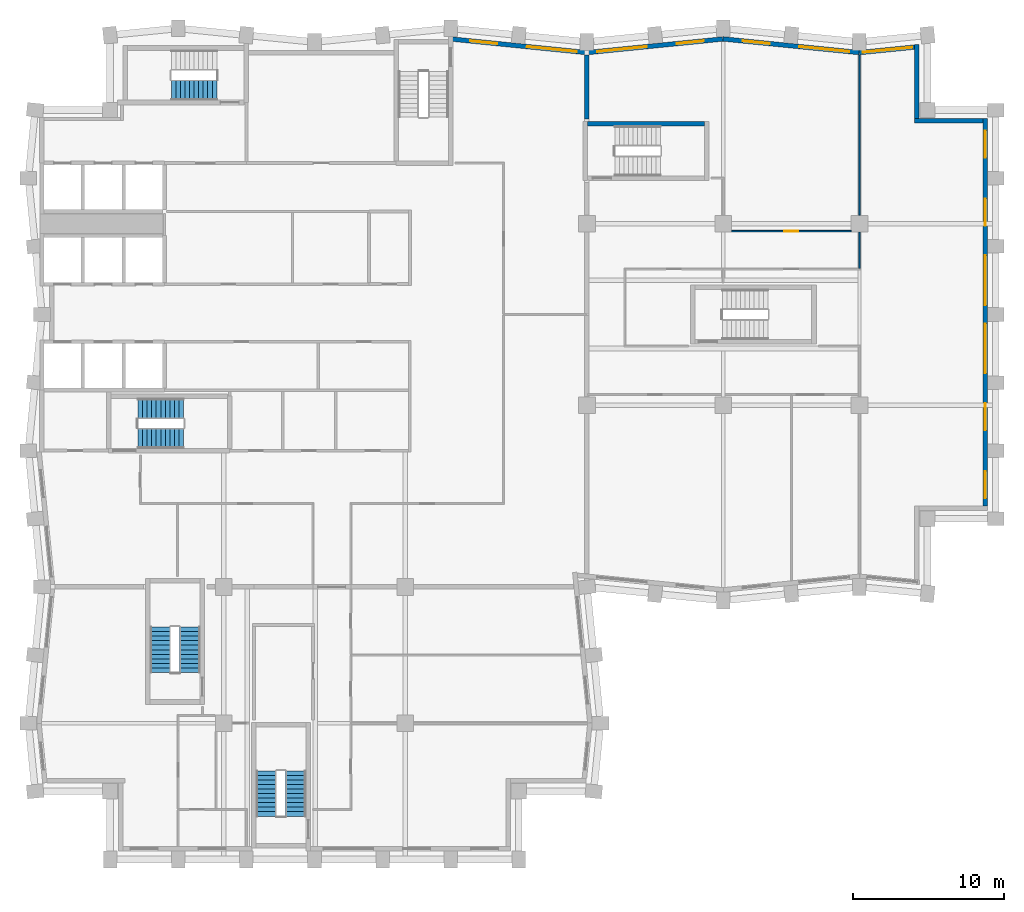
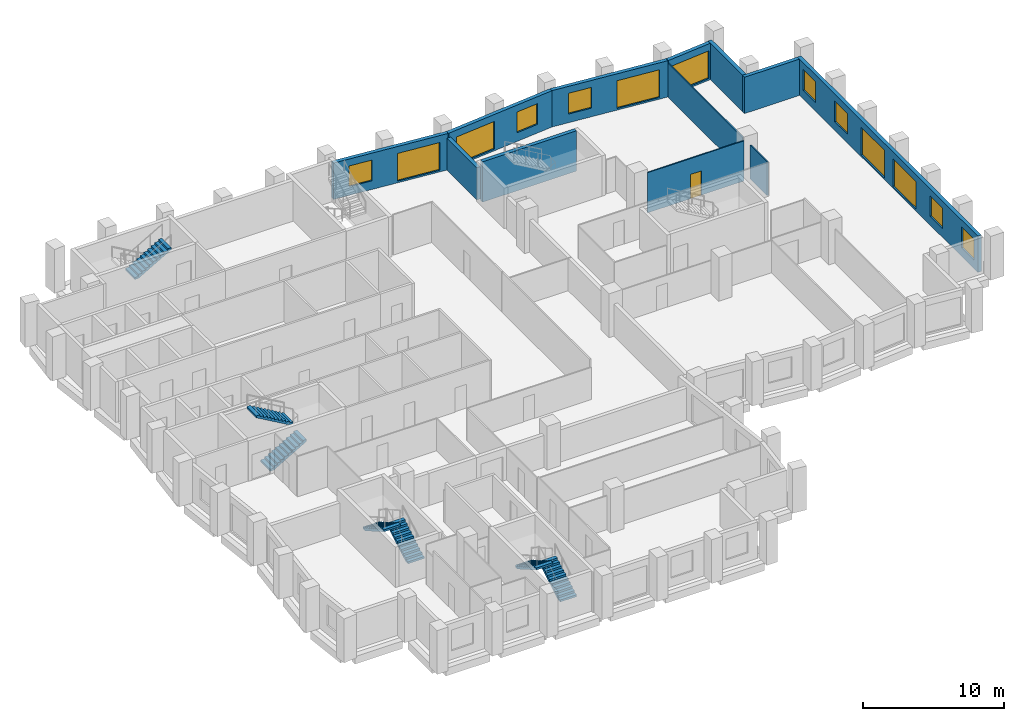
# One storey, part 7 of 10: 13 windows, 12 walls, 7 stair flights, 1 door, 14 openings, 4 elements without a shape of their own.
"""IFC4 building model written with IfcOpenShell, lengths in metres."""

from ifc_helpers import new_model, si_unit, direction, frame, frame_2d, origin, place, context, subcontext, project, spatial, polyline, rectangle, outline, extrude, material, layer, layer_set, type_object, element, fill, aggregate, save


model = new_model("IFC4")

# Units and contexts
model_context = context("Model", 3, precision=1e-05, world=origin(), true_north=direction((0.0, 1.0)))
body_context = subcontext(model_context, "Body", "Model", "MODEL_VIEW")
ifc_project = project(units=[si_unit("LENGTHUNIT", "METRE"), si_unit("AREAUNIT", "SQUARE_METRE"), si_unit("VOLUMEUNIT", "CUBIC_METRE"), si_unit("PLANEANGLEUNIT", "RADIAN"), si_unit("MASSUNIT", "GRAM", prefix="KILO")], contexts=[model_context])

# Site, building, storey
site_placement = place(None, origin())
site = spatial("IfcSite", under=ifc_project, at=site_placement, CompositionType="ELEMENT")
building_placement = place(site_placement, origin())
building = spatial("IfcBuilding", under=site, at=building_placement, Name="Brondeck Convention Tower", CompositionType="ELEMENT")
storey_placement = place(building_placement, frame((0.0, 0.0, 154.800048828125)))
storey = spatial("IfcBuildingStorey", under=building, at=storey_placement, Name="L37", CompositionType="ELEMENT", Elevation=154.800048828125)

# Wall
ifc_material_1 = material(Name="Concrete compartment wall C30/37", Category="concrete")
ifc_layer_1 = layer(ifc_material_1, 0.300048828125)
ifc_layer_set_1 = layer_set([ifc_layer_1], Name="Compartment wall 300")
wall_type_1 = type_object("IfcWallType", Name="Compartment wall 300", PredefinedType="PARTITIONING", material=ifc_layer_set_1)
wall_1_placement = place(storey_placement, frame((36.0, 57.89990234375, 0.0), z_axis=(0.0, 0.0, 1.0), x_axis=(0.0, 1.0, 0.0)))
element("IfcWall", 1, at=wall_1_placement, inside=storey, type_object=wall_type_1, Name="FLR-L37-W060", PredefinedType="PARTITIONING", context=body_context, shape_type="SweptSolid", body=[
    extrude(rectangle(XDim=4.22607421875, YDim=0.300048828125, at=frame_2d((2.113037109375, 0.0))), origin(), (0.0, 0.0, 1.0), 2.780029296875),
])

# Wall, openings, windows
ifc_material_2 = material(Name="Precast concrete C50/60 bronze finish", Category="concrete")
ifc_layer_2 = layer(ifc_material_2, 0.070068359375, Name="Bronze precast facing")
ifc_material_3 = material(Name="Mineral wool")
ifc_layer_3 = layer(ifc_material_3, 0.159912109375, Name="Insulation")
ifc_material_4 = material(Name="Concrete C35/45", Category="concrete")
ifc_layer_4 = layer(ifc_material_4, 0.070068359375, Name="Backing")
ifc_layer_set_2 = layer_set([ifc_layer_2, ifc_layer_3, ifc_layer_4], Name="External infill wall, precast concrete C50/60 bronze facing")
wall_type_2 = type_object("IfcWallType", Name="External infill wall, precast concrete C50/60 bronze facing", PredefinedType="SOLIDWALL", material=ifc_layer_set_2)
wall_2_placement = place(storey_placement, frame((62.300048828125, 57.949951171875, 0.0), z_axis=(0.0, 0.0, 1.0), x_axis=(0.0, -1.0, 0.0)))
wall_2 = element("IfcWall", 2, at=wall_2_placement, inside=storey, type_object=wall_type_2, Name="ENV-EW-L37-P1-A-E63-01", PredefinedType="SOLIDWALL", context=body_context, shape_type="SweptSolid", body=[
    extrude(rectangle(XDim=25.60205078125, YDim=0.300048828125, at=frame_2d((12.801025390625, 0.0))), origin(), (0.0, 0.0, 1.0), 3.14990234375),
])
opening_1_placement = place(wall_2_placement, frame((0.800048828125, 0.0, 0.75)))
opening_1 = element("IfcOpeningElement", 3, at=opening_1_placement, cuts=wall_2, Name="Opening W10", PredefinedType="OPENING", context=body_context, shape_type="SweptSolid", body=[
    extrude(rectangle(XDim=1.800048828125, YDim=1.800048828125, at=frame_2d((0.89990234375, 0.89990234375))), frame((0.0, 0.159912109375, 0.0), z_axis=(0.0, -1.0, 0.0), x_axis=(1.0, 0.0, 0.0)), (0.0, 0.0, 1.0), 0.320068359375),
])
opening_2_placement = place(wall_2_placement, frame((5.300048828125, 0.0, 0.75)))
opening_2 = element("IfcOpeningElement", 4, at=opening_2_placement, cuts=wall_2, Name="Opening W10", PredefinedType="OPENING", context=body_context, shape_type="SweptSolid", body=[
    extrude(rectangle(XDim=1.800048828125, YDim=1.800048828125, at=frame_2d((0.89990234375, 0.89990234375))), frame((0.0, 0.159912109375, 0.0), z_axis=(0.0, -1.0, 0.0), x_axis=(1.0, 0.0, 0.0)), (0.0, 0.0, 1.0), 0.320068359375),
])
opening_3_placement = place(wall_2_placement, frame((9.050048828125, 0.0, 0.14990234375)))
opening_3 = element("IfcOpeningElement", 5, at=opening_3_placement, cuts=wall_2, Name="Opening W9", PredefinedType="OPENING", context=body_context, shape_type="SweptSolid", body=[
    extrude(rectangle(XDim=3.300048828125, YDim=2.39990234375, at=frame_2d((1.64990234375, 1.199951171875))), frame((0.0, 0.159912109375, 0.0), z_axis=(0.0, -1.0, 0.0), x_axis=(1.0, 0.0, 0.0)), (0.0, 0.0, 1.0), 0.320068359375),
])
opening_4_placement = place(wall_2_placement, frame((13.550048828125, 0.0, 0.14990234375)))
opening_4 = element("IfcOpeningElement", 6, at=opening_4_placement, cuts=wall_2, Name="Opening W9", PredefinedType="OPENING", context=body_context, shape_type="SweptSolid", body=[
    extrude(rectangle(XDim=3.300048828125, YDim=2.39990234375, at=frame_2d((1.64990234375, 1.199951171875))), frame((0.0, 0.159912109375, 0.0), z_axis=(0.0, -1.0, 0.0), x_axis=(1.0, 0.0, 0.0)), (0.0, 0.0, 1.0), 0.320068359375),
])
opening_5_placement = place(wall_2_placement, frame((18.800048828125, 0.0, 0.75)))
opening_5 = element("IfcOpeningElement", 7, at=opening_5_placement, cuts=wall_2, Name="Opening W10", PredefinedType="OPENING", context=body_context, shape_type="SweptSolid", body=[
    extrude(rectangle(XDim=1.800048828125, YDim=1.800048828125, at=frame_2d((0.89990234375, 0.89990234375))), frame((0.0, 0.159912109375, 0.0), z_axis=(0.0, -1.0, 0.0), x_axis=(1.0, 0.0, 0.0)), (0.0, 0.0, 1.0), 0.320068359375),
])
opening_6_placement = place(wall_2_placement, frame((23.300048828125, 0.0, 0.75)))
opening_6 = element("IfcOpeningElement", 8, at=opening_6_placement, cuts=wall_2, Name="Opening W10", PredefinedType="OPENING", context=body_context, shape_type="SweptSolid", body=[
    extrude(rectangle(XDim=1.800048828125, YDim=1.800048828125, at=frame_2d((0.89990234375, 0.89990234375))), frame((0.0, 0.159912109375, 0.0), z_axis=(0.0, -1.0, 0.0), x_axis=(1.0, 0.0, 0.0)), (0.0, 0.0, 1.0), 0.320068359375),
])
ifc_material_5 = material(Name="Bronze tinted double glazing", Category="glass")
window_type_1 = type_object("IfcWindowType", Name="Glazed flute window, bronze tinted", PartitioningType="SINGLE_PANEL", PredefinedType="WINDOW", material=ifc_material_5)
window_1_placement = place(opening_3_placement, origin())
window_1 = element("IfcWindow", 9, at=window_1_placement, inside=storey, type_object=window_type_1, Name="ENV-WN-L37-P1-A-E63-04", OverallHeight=2.39990234375, OverallWidth=3.300048828125, PartitioningType="SINGLE_PANEL", PredefinedType="WINDOW", context=body_context, shape_type="SweptSolid", body=[
    extrude(rectangle(XDim=3.300048828125, YDim=2.39990234375, at=frame_2d((1.64990234375, 1.199951171875))), frame((0.0, 0.030029296875, 0.0), z_axis=(0.0, -1.0, 0.0), x_axis=(1.0, 0.0, 0.0)), (0.0, 0.0, 1.0), 0.06005859375),
])
fill(opening_3, window_1)
window_2_placement = place(opening_4_placement, origin())
window_2 = element("IfcWindow", 10, at=window_2_placement, inside=storey, type_object=window_type_1, Name="ENV-WN-L37-P1-A-E63-03", OverallHeight=2.39990234375, OverallWidth=3.300048828125, PartitioningType="SINGLE_PANEL", PredefinedType="WINDOW", context=body_context, shape_type="SweptSolid", body=[
    extrude(rectangle(XDim=3.300048828125, YDim=2.39990234375, at=frame_2d((1.64990234375, 1.199951171875))), frame((0.0, 0.030029296875, 0.0), z_axis=(0.0, -1.0, 0.0), x_axis=(1.0, 0.0, 0.0)), (0.0, 0.0, 1.0), 0.06005859375),
])
fill(opening_4, window_2)
window_type_2 = type_object("IfcWindowType", Name="Punched window, bronze tinted", PartitioningType="SINGLE_PANEL", PredefinedType="WINDOW", material=ifc_material_5)
window_3_placement = place(opening_1_placement, origin())
window_3 = element("IfcWindow", 11, at=window_3_placement, inside=storey, type_object=window_type_2, Name="ENV-WN-L37-P1-A-E63-06", OverallHeight=1.800048828125, OverallWidth=1.800048828125, PartitioningType="SINGLE_PANEL", PredefinedType="WINDOW", context=body_context, shape_type="SweptSolid", body=[
    extrude(rectangle(XDim=1.800048828125, YDim=1.800048828125, at=frame_2d((0.89990234375, 0.89990234375))), frame((0.0, 0.030029296875, 0.0), z_axis=(0.0, -1.0, 0.0), x_axis=(1.0, 0.0, 0.0)), (0.0, 0.0, 1.0), 0.06005859375),
])
fill(opening_1, window_3)
window_4_placement = place(opening_2_placement, origin())
window_4 = element("IfcWindow", 12, at=window_4_placement, inside=storey, type_object=window_type_2, Name="ENV-WN-L37-P1-A-E63-05", OverallHeight=1.800048828125, OverallWidth=1.800048828125, PartitioningType="SINGLE_PANEL", PredefinedType="WINDOW", context=body_context, shape_type="SweptSolid", body=[
    extrude(rectangle(XDim=1.800048828125, YDim=1.800048828125, at=frame_2d((0.89990234375, 0.89990234375))), frame((0.0, 0.030029296875, 0.0), z_axis=(0.0, -1.0, 0.0), x_axis=(1.0, 0.0, 0.0)), (0.0, 0.0, 1.0), 0.06005859375),
])
fill(opening_2, window_4)
window_5_placement = place(opening_5_placement, origin())
window_5 = element("IfcWindow", 13, at=window_5_placement, inside=storey, type_object=window_type_2, Name="ENV-WN-L37-P1-A-E63-02", OverallHeight=1.800048828125, OverallWidth=1.800048828125, PartitioningType="SINGLE_PANEL", PredefinedType="WINDOW", context=body_context, shape_type="SweptSolid", body=[
    extrude(rectangle(XDim=1.800048828125, YDim=1.800048828125, at=frame_2d((0.89990234375, 0.89990234375))), frame((0.0, 0.030029296875, 0.0), z_axis=(0.0, -1.0, 0.0), x_axis=(1.0, 0.0, 0.0)), (0.0, 0.0, 1.0), 0.06005859375),
])
fill(opening_5, window_5)
window_6_placement = place(opening_6_placement, origin())
window_6 = element("IfcWindow", 14, at=window_6_placement, inside=storey, type_object=window_type_2, Name="ENV-WN-L37-P1-A-E63-01", OverallHeight=1.800048828125, OverallWidth=1.800048828125, PartitioningType="SINGLE_PANEL", PredefinedType="WINDOW", context=body_context, shape_type="SweptSolid", body=[
    extrude(rectangle(XDim=1.800048828125, YDim=1.800048828125, at=frame_2d((0.89990234375, 0.89990234375))), frame((0.0, 0.030029296875, 0.0), z_axis=(0.0, -1.0, 0.0), x_axis=(1.0, 0.0, 0.0)), (0.0, 0.0, 1.0), 0.06005859375),
])
fill(opening_6, window_6)

# Walls
wall_3_placement = place(storey_placement, frame((57.64990234375, 57.800048828125, 0.0), z_axis=(0.0, 0.0, 1.0), x_axis=(1.0, 0.0, 0.0)))
element("IfcWall", 15, at=wall_3_placement, inside=storey, type_object=wall_type_2, Name="ENV-EW-L37-P1-NC-NEA63-01", PredefinedType="SOLIDWALL", context=body_context, shape_type="SweptSolid", body=[
    extrude(rectangle(XDim=4.502197265625, YDim=0.300048828125, at=frame_2d((2.2509765625, 0.0))), origin(), (0.0, 0.0, 1.0), 3.14990234375),
])
wall_4_placement = place(storey_placement, frame((57.800048828125, 62.84228515625, 0.0), z_axis=(0.0, 0.0, 1.0), x_axis=(0.0, -1.0, 0.0)))
element("IfcWall", 16, at=wall_4_placement, inside=storey, type_object=wall_type_2, Name="ENV-EW-L37-P1-NC-NEA63-02", PredefinedType="SOLIDWALL", context=body_context, shape_type="SweptSolid", body=[
    extrude(rectangle(XDim=4.894287109375, YDim=0.300048828125, at=frame_2d((2.447265625, 0.0))), origin(), (0.0, 0.0, 1.0), 3.14990234375),
])

# Wall, opening, window
wall_5_placement = place(storey_placement, frame((53.985107421875, 62.294921875, 0.0), z_axis=(0.0, 0.0, 1.0), x_axis=(0.99503719021, 0.099503719021, 0.0)))
wall_5 = element("IfcWall", 17, at=wall_5_placement, inside=storey, type_object=wall_type_2, Name="ENV-EW-L37-P1-A-N-12", PredefinedType="SOLIDWALL", context=body_context, shape_type="SweptSolid", body=[
    extrude(rectangle(XDim=3.677978515625, YDim=0.300048828125, at=frame_2d((1.8388671875, 0.0))), origin(), (0.0, 0.0, 1.0), 3.14990234375),
])
opening_7_placement = place(wall_5_placement, frame((0.22802734375, 0.0, 0.14990234375)))
opening_7 = element("IfcOpeningElement", 18, at=opening_7_placement, cuts=wall_5, Name="Opening W9", PredefinedType="OPENING", context=body_context, shape_type="SweptSolid", body=[
    extrude(rectangle(XDim=3.300048828125, YDim=2.39990234375, at=frame_2d((1.64990234375, 1.199951171875))), frame((0.0, 0.159912109375, 0.0), z_axis=(0.0, -1.0, 0.0), x_axis=(1.0, 0.0, 0.0)), (0.0, 0.0, 1.0), 0.320068359375),
])
window_7_placement = place(opening_7_placement, origin())
window_7 = element("IfcWindow", 19, at=window_7_placement, inside=storey, type_object=window_type_1, Name="ENV-WN-L37-P1-A-N-12", OverallHeight=2.39990234375, OverallWidth=3.300048828125, PartitioningType="SINGLE_PANEL", PredefinedType="WINDOW", context=body_context, shape_type="SweptSolid", body=[
    extrude(rectangle(XDim=3.300048828125, YDim=2.39990234375, at=frame_2d((1.64990234375, 1.199951171875))), frame((0.0, 0.030029296875, 0.0), z_axis=(0.0, -1.0, 0.0), x_axis=(1.0, 0.0, 0.0)), (0.0, 0.0, 1.0), 0.06005859375),
])
fill(opening_7, window_7)

# Wall, openings, windows
wall_6_placement = place(storey_placement, frame((44.985107421875, 63.197998046875, 0.0), z_axis=(0.0, 0.0, 1.0), x_axis=(0.995037993253, -0.099495688264, 0.0)))
wall_6 = element("IfcWall", 20, at=wall_6_placement, inside=storey, type_object=wall_type_2, Name="ENV-EW-L37-P1-A-N-11", PredefinedType="SOLIDWALL", context=body_context, shape_type="SweptSolid", body=[
    extrude(rectangle(XDim=9.030029296875, YDim=0.300048828125, at=frame_2d((4.51513671875, 0.0))), origin(), (0.0, 0.0, 1.0), 3.14990234375),
])
opening_8_placement = place(wall_6_placement, frame((1.30615234375, 0.0, 0.75)))
opening_8 = element("IfcOpeningElement", 21, at=opening_8_placement, cuts=wall_6, Name="Opening W10", PredefinedType="OPENING", context=body_context, shape_type="SweptSolid", body=[
    extrude(rectangle(XDim=1.800048828125, YDim=1.800048828125, at=frame_2d((0.89990234375, 0.89990234375))), frame((0.0, 0.159912109375, 0.0), z_axis=(0.0, -1.0, 0.0), x_axis=(1.0, 0.0, 0.0)), (0.0, 0.0, 1.0), 0.320068359375),
])
opening_9_placement = place(wall_6_placement, frame((5.07861328125, 0.0, 0.14990234375)))
opening_9 = element("IfcOpeningElement", 22, at=opening_9_placement, cuts=wall_6, Name="Opening W9", PredefinedType="OPENING", context=body_context, shape_type="SweptSolid", body=[
    extrude(rectangle(XDim=3.300048828125, YDim=2.39990234375, at=frame_2d((1.64990234375, 1.199951171875))), frame((0.0, 0.159912109375, 0.0), z_axis=(0.0, -1.0, 0.0), x_axis=(1.0, 0.0, 0.0)), (0.0, 0.0, 1.0), 0.320068359375),
])
window_8_placement = place(opening_9_placement, origin())
window_8 = element("IfcWindow", 23, at=window_8_placement, inside=storey, type_object=window_type_1, Name="ENV-WN-L37-P1-A-N-11", OverallHeight=2.39990234375, OverallWidth=3.300048828125, PartitioningType="SINGLE_PANEL", PredefinedType="WINDOW", context=body_context, shape_type="SweptSolid", body=[
    extrude(rectangle(XDim=3.300048828125, YDim=2.39990234375, at=frame_2d((1.64990234375, 1.199951171875))), frame((0.0, 0.030029296875, 0.0), z_axis=(0.0, -1.0, 0.0), x_axis=(1.0, 0.0, 0.0)), (0.0, 0.0, 1.0), 0.06005859375),
])
fill(opening_9, window_8)
window_9_placement = place(opening_8_placement, origin())
window_9 = element("IfcWindow", 24, at=window_9_placement, inside=storey, type_object=window_type_2, Name="ENV-WN-L37-P1-A-N-10", OverallHeight=1.800048828125, OverallWidth=1.800048828125, PartitioningType="SINGLE_PANEL", PredefinedType="WINDOW", context=body_context, shape_type="SweptSolid", body=[
    extrude(rectangle(XDim=1.800048828125, YDim=1.800048828125, at=frame_2d((0.89990234375, 0.89990234375))), frame((0.0, 0.030029296875, 0.0), z_axis=(0.0, -1.0, 0.0), x_axis=(1.0, 0.0, 0.0)), (0.0, 0.0, 1.0), 0.06005859375),
])
fill(opening_8, window_9)

wall_7_placement = place(storey_placement, frame((35.985107421875, 62.294921875, 0.0), z_axis=(0.0, 0.0, 1.0), x_axis=(0.995035316196, 0.099522457379, 0.0)))
wall_7 = element("IfcWall", 25, at=wall_7_placement, inside=storey, type_object=wall_type_2, Name="ENV-EW-L37-P1-A-N-09", PredefinedType="SOLIDWALL", context=body_context, shape_type="SweptSolid", body=[
    extrude(rectangle(XDim=9.030029296875, YDim=0.300048828125, at=frame_2d((4.51513671875, 0.0))), origin(), (0.0, 0.0, 1.0), 3.14990234375),
])
opening_10_placement = place(wall_7_placement, frame((0.6962890625, 0.0, 0.14990234375)))
opening_10 = element("IfcOpeningElement", 26, at=opening_10_placement, cuts=wall_7, Name="Opening W9", PredefinedType="OPENING", context=body_context, shape_type="SweptSolid", body=[
    extrude(rectangle(XDim=3.300048828125, YDim=2.39990234375, at=frame_2d((1.64990234375, 1.199951171875))), frame((0.0, 0.159912109375, 0.0), z_axis=(0.0, -1.0, 0.0), x_axis=(1.0, 0.0, 0.0)), (0.0, 0.0, 1.0), 0.320068359375),
])
opening_11_placement = place(wall_7_placement, frame((5.968505859375, 0.0, 0.75)))
opening_11 = element("IfcOpeningElement", 27, at=opening_11_placement, cuts=wall_7, Name="Opening W10", PredefinedType="OPENING", context=body_context, shape_type="SweptSolid", body=[
    extrude(rectangle(XDim=1.800048828125, YDim=1.800048828125, at=frame_2d((0.89990234375, 0.89990234375))), frame((0.0, 0.159912109375, 0.0), z_axis=(0.0, -1.0, 0.0), x_axis=(1.0, 0.0, 0.0)), (0.0, 0.0, 1.0), 0.320068359375),
])
window_10_placement = place(opening_10_placement, origin())
window_10 = element("IfcWindow", 28, at=window_10_placement, inside=storey, type_object=window_type_1, Name="ENV-WN-L37-P1-A-N-08", OverallHeight=2.39990234375, OverallWidth=3.300048828125, PartitioningType="SINGLE_PANEL", PredefinedType="WINDOW", context=body_context, shape_type="SweptSolid", body=[
    extrude(rectangle(XDim=3.300048828125, YDim=2.39990234375, at=frame_2d((1.64990234375, 1.199951171875))), frame((0.0, 0.030029296875, 0.0), z_axis=(0.0, -1.0, 0.0), x_axis=(1.0, 0.0, 0.0)), (0.0, 0.0, 1.0), 0.06005859375),
])
fill(opening_10, window_10)
window_11_placement = place(opening_11_placement, origin())
window_11 = element("IfcWindow", 29, at=window_11_placement, inside=storey, type_object=window_type_2, Name="ENV-WN-L37-P1-A-N-09", OverallHeight=1.800048828125, OverallWidth=1.800048828125, PartitioningType="SINGLE_PANEL", PredefinedType="WINDOW", context=body_context, shape_type="SweptSolid", body=[
    extrude(rectangle(XDim=1.800048828125, YDim=1.800048828125, at=frame_2d((0.89990234375, 0.89990234375))), frame((0.0, 0.030029296875, 0.0), z_axis=(0.0, -1.0, 0.0), x_axis=(1.0, 0.0, 0.0)), (0.0, 0.0, 1.0), 0.06005859375),
])
fill(opening_11, window_11)

wall_8_placement = place(storey_placement, frame((27.07958984375, 63.188720703125, 0.0), z_axis=(0.0, 0.0, 1.0), x_axis=(0.995036108007, -0.099514540459, 0.0)))
wall_8 = element("IfcWall", 30, at=wall_8_placement, inside=storey, type_object=wall_type_2, Name="ENV-EW-L37-P1-A-N-07", PredefinedType="SOLIDWALL", context=body_context, shape_type="SweptSolid", body=[
    extrude(rectangle(XDim=8.93505859375, YDim=0.300048828125, at=frame_2d((4.467529296875, 0.0))), origin(), (0.0, 0.0, 1.0), 3.14990234375),
])
opening_12_placement = place(wall_8_placement, frame((1.211181640625, 0.0, 0.75)))
opening_12 = element("IfcOpeningElement", 31, at=opening_12_placement, cuts=wall_8, Name="Opening W10", PredefinedType="OPENING", context=body_context, shape_type="SweptSolid", body=[
    extrude(rectangle(XDim=1.800048828125, YDim=1.800048828125, at=frame_2d((0.89990234375, 0.89990234375))), frame((0.0, 0.159912109375, 0.0), z_axis=(0.0, -1.0, 0.0), x_axis=(1.0, 0.0, 0.0)), (0.0, 0.0, 1.0), 0.320068359375),
])
opening_13_placement = place(wall_8_placement, frame((4.983642578125, 0.0, 0.14990234375)))
opening_13 = element("IfcOpeningElement", 32, at=opening_13_placement, cuts=wall_8, Name="Opening W9", PredefinedType="OPENING", context=body_context, shape_type="SweptSolid", body=[
    extrude(rectangle(XDim=3.300048828125, YDim=2.39990234375, at=frame_2d((1.64990234375, 1.199951171875))), frame((0.0, 0.159912109375, 0.0), z_axis=(0.0, -1.0, 0.0), x_axis=(1.0, 0.0, 0.0)), (0.0, 0.0, 1.0), 0.320068359375),
])
window_12_placement = place(opening_13_placement, origin())
window_12 = element("IfcWindow", 33, at=window_12_placement, inside=storey, type_object=window_type_1, Name="ENV-WN-L37-P1-A-N-07", OverallHeight=2.39990234375, OverallWidth=3.300048828125, PartitioningType="SINGLE_PANEL", PredefinedType="WINDOW", context=body_context, shape_type="SweptSolid", body=[
    extrude(rectangle(XDim=3.300048828125, YDim=2.39990234375, at=frame_2d((1.64990234375, 1.199951171875))), frame((0.0, 0.030029296875, 0.0), z_axis=(0.0, -1.0, 0.0), x_axis=(1.0, 0.0, 0.0)), (0.0, 0.0, 1.0), 0.06005859375),
])
fill(opening_13, window_12)
window_13_placement = place(opening_12_placement, origin())
window_13 = element("IfcWindow", 34, at=window_13_placement, inside=storey, type_object=window_type_2, Name="ENV-WN-L37-P1-A-N-06", OverallHeight=1.800048828125, OverallWidth=1.800048828125, PartitioningType="SINGLE_PANEL", PredefinedType="WINDOW", context=body_context, shape_type="SweptSolid", body=[
    extrude(rectangle(XDim=1.800048828125, YDim=1.800048828125, at=frame_2d((0.89990234375, 0.89990234375))), frame((0.0, 0.030029296875, 0.0), z_axis=(0.0, -1.0, 0.0), x_axis=(1.0, 0.0, 0.0)), (0.0, 0.0, 1.0), 0.06005859375),
])
fill(opening_12, window_13)

# Wall
ifc_material_6 = material(Name="Gypsum board partition on steel studs", Category="steel")
ifc_layer_5 = layer(ifc_material_6, 0.10009765625)
ifc_layer_set_3 = layer_set([ifc_layer_5], Name="Room partition 100")
wall_type_3 = type_object("IfcWallType", Name="Room partition 100", PredefinedType="PARTITIONING", material=ifc_layer_set_3)
wall_9_placement = place(storey_placement, frame((54.0, 50.445068359375, 0.0), z_axis=(0.0, 0.0, 1.0), x_axis=(0.0, -1.0, 0.0)))
element("IfcWall", 35, at=wall_9_placement, inside=storey, type_object=wall_type_3, Name="FLR-L37-W052", PredefinedType="PARTITIONING", context=body_context, shape_type="SweptSolid", body=[
    extrude(rectangle(XDim=2.39501953125, YDim=0.10009765625, at=frame_2d((1.197509765625, 0.0))), origin(), (0.0, 0.0, 1.0), 2.929931640625),
])

# Wall, opening, door
wall_10_placement = place(storey_placement, frame((45.554931640625, 50.5, 0.0), z_axis=(0.0, 0.0, 1.0), x_axis=(1.0, 0.0, 0.0)))
wall_10 = element("IfcWall", 36, at=wall_10_placement, inside=storey, type_object=wall_type_3, Name="FLR-L37-W053", PredefinedType="PARTITIONING", context=body_context, shape_type="SweptSolid", body=[
    extrude(rectangle(XDim=7.89013671875, YDim=0.10009765625, at=frame_2d((3.945068359375, 0.0))), origin(), (0.0, 0.0, 1.0), 3.47998046875),
])
opening_14_placement = place(wall_10_placement, frame((3.4951171875, 0.0, 0.0)))
opening_14 = element("IfcOpeningElement", 37, at=opening_14_placement, cuts=wall_10, Name="Opening OF-G-008", PredefinedType="OPENING", context=body_context, shape_type="SweptSolid", body=[
    extrude(rectangle(XDim=0.89990234375, YDim=2.10009765625, at=frame_2d((0.449951171875, 1.050048828125))), frame((0.0, 0.06005859375, 0.0), z_axis=(0.0, -1.0, 0.0), x_axis=(1.0, 0.0, 0.0)), (0.0, 0.0, 1.0), 0.1201171875),
])
ifc_material_7 = material(Name="Solid timber door leaf", Category="wood")
door_type = type_object("IfcDoorType", Name="Single door 900", OperationType="NOTDEFINED", PredefinedType="DOOR", material=ifc_material_7)
door_placement = place(opening_14_placement, origin())
door = element("IfcDoor", 38, at=door_placement, inside=storey, type_object=door_type, Name="Door OF-G-008", OperationType="SINGLE_SWING_LEFT", OverallHeight=2.10009765625, OverallWidth=0.89990234375, PredefinedType="DOOR", context=body_context, shape_type="SweptSolid", body=[
    extrude(rectangle(XDim=0.89990234375, YDim=2.10009765625, at=frame_2d((0.449951171875, 1.050048828125))), frame((0.0, 0.02490234375, 0.0), z_axis=(0.0, -1.0, 0.0), x_axis=(1.0, 0.0, 0.0)), (0.0, 0.0, 1.0), 0.050048828125),
])
fill(opening_14, door)

# Walls
wall_11_placement = place(storey_placement, frame((54.0, 51.554931640625, 0.0), z_axis=(0.0, 0.0, 1.0), x_axis=(0.0, 1.0, 0.0)))
element("IfcWall", 39, at=wall_11_placement, inside=storey, type_object=wall_type_3, Name="FLR-L37-W055", PredefinedType="PARTITIONING", context=body_context, shape_type="SweptSolid", body=[
    extrude(rectangle(XDim=10.57080078125, YDim=0.10009765625, at=frame_2d((5.285400390625, 0.0))), origin(), (0.0, 0.0, 1.0), 2.929931640625),
])
ifc_material_8 = material(Name="Concrete C70/85", Category="concrete")
ifc_layer_6 = layer(ifc_material_8, 0.300048828125)
ifc_layer_set_4 = layer_set([ifc_layer_6], Name="Stair enclosure wall 300 Concrete C70/85")
wall_type_4 = type_object("IfcWallType", Name="Stair enclosure wall 300 Concrete C70/85", PredefinedType="SHEAR", material=ifc_layer_set_4)
wall_12_placement = place(storey_placement, frame((36.050048828125, 57.60009765625, 0.0), z_axis=(0.0, 0.0, 1.0), x_axis=(1.0, 0.0, 0.0)))
element("IfcWall", 40, at=wall_12_placement, inside=storey, type_object=wall_type_4, Name="L37 core wall", PredefinedType="SHEAR", context=body_context, shape_type="SweptSolid", body=[
    extrude(rectangle(XDim=7.699951171875, YDim=0.300048828125, at=frame_2d((3.85009765625, 0.0))), origin(), (0.0, 0.0, 1.0), 3.5),
])

# Stair, stair flights
ifc_material_9 = material(Name="Precast concrete C50/60", Category="concrete")
stair_type = type_object("IfcStairType", Name="Core stair 22 risers 172.73 mm riser 300 mm going 1350 wide", PredefinedType="HALF_TURN_STAIR", material=ifc_material_9)
stair_1_placement = place(storey_placement, origin())
stair_1 = element("IfcStair", 41, at=stair_1_placement, inside=storey, type_object=stair_type, Name="ST-1 L37 stair", PredefinedType="HALF_TURN_STAIR")
stair_flight_type = type_object("IfcStairFlightType", Name="Core stair flight 22 risers 172.73 mm riser 300 mm going 1350 wide", PredefinedType="STRAIGHT", material=ifc_material_9)
stair_flight_1_placement = place(storey_placement, frame((6.35009765625, 36.824951171875, 0.0), z_axis=(0.0, 0.0, 1.0), x_axis=(1.0, 0.0, 0.0)))
stair_flight_1 = element("IfcStairFlight", 42, at=stair_flight_1_placement, type_object=stair_flight_type, Name="ST-1 flight 1", NumberOfRisers=11, NumberOfTreads=10, PredefinedType="STRAIGHT", RiserHeight=0.172727273, TreadLength=0.3, context=body_context, shape_type="SweptSolid", body=[
    extrude(outline(polyline([(0.0, 0.0), (0.0, 0.172607421875), (0.300048828125, 0.172607421875), (0.300048828125, 0.345458984375), (0.60009765625, 0.345458984375), (0.60009765625, 0.51806640625), (0.89990234375, 0.51806640625), (0.89990234375, 0.69091796875), (1.199951171875, 0.69091796875), (1.199951171875, 0.863525390625), (1.5, 0.863525390625), (1.5, 1.036376953125), (1.800048828125, 1.036376953125), (1.800048828125, 1.208984375), (2.10009765625, 1.208984375), (2.10009765625, 1.3818359375), (2.39990234375, 1.3818359375), (2.39990234375, 1.554443359375), (2.699951171875, 1.554443359375), (2.699951171875, 1.727294921875), (3.0, 1.727294921875), (3.0, 1.89990234375), (3.0, 1.55419921875), (0.300537109375, 0.0), (0.0, 0.0)])), frame((0.0, 0.675048828125, 0.0), z_axis=(0.0, -1.0, 0.0), x_axis=(1.0, 0.0, 0.0)), (0.0, 0.0, 1.0), 1.35009765625),
])
stair_flight_2_placement = place(storey_placement, frame((9.35009765625, 38.77490234375, 1.89990234375), z_axis=(0.0, 0.0, 1.0), x_axis=(-1.0, 0.0, 0.0)))
stair_flight_2 = element("IfcStairFlight", 43, at=stair_flight_2_placement, type_object=stair_flight_type, Name="ST-1 flight 2", NumberOfRisers=11, NumberOfTreads=10, PredefinedType="STRAIGHT", RiserHeight=0.172727273, TreadLength=0.3, context=body_context, shape_type="SweptSolid", body=[
    extrude(outline(polyline([(0.0, 0.0), (0.0, 0.172607421875), (0.300048828125, 0.172607421875), (0.300048828125, 0.345458984375), (0.60009765625, 0.345458984375), (0.60009765625, 0.51806640625), (0.89990234375, 0.51806640625), (0.89990234375, 0.69091796875), (1.199951171875, 0.69091796875), (1.199951171875, 0.863525390625), (1.5, 0.863525390625), (1.5, 1.036376953125), (1.800048828125, 1.036376953125), (1.800048828125, 1.208984375), (2.10009765625, 1.208984375), (2.10009765625, 1.3818359375), (2.39990234375, 1.3818359375), (2.39990234375, 1.554443359375), (2.699951171875, 1.554443359375), (2.699951171875, 1.727294921875), (3.0, 1.727294921875), (3.0, 1.89990234375), (3.0, 1.55419921875), (0.300537109375, 0.0), (0.0, 0.0)])), frame((0.0, 0.675048828125, 0.0), z_axis=(0.0, -1.0, 0.0), x_axis=(1.0, 0.0, 0.0)), (0.0, 0.0, 1.0), 1.35009765625),
])
aggregate(stair_1, [stair_flight_1, stair_flight_2])

# Stair, stair flight
stair_2_placement = place(storey_placement, origin())
stair_2 = element("IfcStair", 44, at=stair_2_placement, inside=storey, type_object=stair_type, Name="ST-3 L37 stair", PredefinedType="HALF_TURN_STAIR")
stair_flight_3_placement = place(storey_placement, frame((8.550048828125, 59.824951171875, 1.89990234375), z_axis=(0.0, 0.0, 1.0), x_axis=(1.0, 0.0, 0.0)))
stair_flight_3 = element("IfcStairFlight", 45, at=stair_flight_3_placement, type_object=stair_flight_type, Name="ST-3 flight 2", NumberOfRisers=11, NumberOfTreads=10, PredefinedType="STRAIGHT", RiserHeight=0.172727273, TreadLength=0.3, context=body_context, shape_type="SweptSolid", body=[
    extrude(outline(polyline([(0.0, 0.0), (0.0, 0.172607421875), (0.300048828125, 0.172607421875), (0.300048828125, 0.345458984375), (0.60009765625, 0.345458984375), (0.60009765625, 0.51806640625), (0.89990234375, 0.51806640625), (0.89990234375, 0.69091796875), (1.199951171875, 0.69091796875), (1.199951171875, 0.863525390625), (1.5, 0.863525390625), (1.5, 1.036376953125), (1.800048828125, 1.036376953125), (1.800048828125, 1.208984375), (2.10009765625, 1.208984375), (2.10009765625, 1.3818359375), (2.39990234375, 1.3818359375), (2.39990234375, 1.554443359375), (2.699951171875, 1.554443359375), (2.699951171875, 1.727294921875), (3.0, 1.727294921875), (3.0, 1.89990234375), (3.0, 1.55419921875), (0.300537109375, 0.0), (0.0, 0.0)])), frame((0.0, 0.675048828125, 0.0), z_axis=(0.0, -1.0, 0.0), x_axis=(1.0, 0.0, 0.0)), (0.0, 0.0, 1.0), 1.35009765625),
])
aggregate(stair_2, [stair_flight_3])

# Stair, stair flights
stair_3_placement = place(storey_placement, origin())
stair_3 = element("IfcStair", 46, at=stair_3_placement, inside=storey, type_object=stair_type, Name="ST-BE L37 stair", PredefinedType="HALF_TURN_STAIR")
stair_flight_4_placement = place(storey_placement, frame((9.77490234375, 21.35009765625, 0.0), z_axis=(0.0, 0.0, 1.0), x_axis=(0.0, 1.0, 0.0)))
stair_flight_4 = element("IfcStairFlight", 47, at=stair_flight_4_placement, type_object=stair_flight_type, Name="ST-BE flight 1", NumberOfRisers=11, NumberOfTreads=10, PredefinedType="STRAIGHT", RiserHeight=0.172727273, TreadLength=0.3, context=body_context, shape_type="SweptSolid", body=[
    extrude(outline(polyline([(0.0, 0.0), (0.0, 0.172607421875), (0.300048828125, 0.172607421875), (0.300048828125, 0.345458984375), (0.60009765625, 0.345458984375), (0.60009765625, 0.51806640625), (0.89990234375, 0.51806640625), (0.89990234375, 0.69091796875), (1.199951171875, 0.69091796875), (1.199951171875, 0.863525390625), (1.5, 0.863525390625), (1.5, 1.036376953125), (1.800048828125, 1.036376953125), (1.800048828125, 1.208984375), (2.10009765625, 1.208984375), (2.10009765625, 1.3818359375), (2.39990234375, 1.3818359375), (2.39990234375, 1.554443359375), (2.699951171875, 1.554443359375), (2.699951171875, 1.727294921875), (3.0, 1.727294921875), (3.0, 1.89990234375), (3.0, 1.55419921875), (0.300537109375, 0.0), (0.0, 0.0)])), frame((0.0, 0.675048828125, 0.0), z_axis=(0.0, -1.0, 0.0), x_axis=(1.0, 0.0, 0.0)), (0.0, 0.0, 1.0), 1.35009765625),
])
stair_flight_5_placement = place(storey_placement, frame((7.824951171875, 24.35009765625, 1.89990234375), z_axis=(0.0, 0.0, 1.0), x_axis=(0.0, -1.0, 0.0)))
stair_flight_5 = element("IfcStairFlight", 48, at=stair_flight_5_placement, type_object=stair_flight_type, Name="ST-BE flight 2", NumberOfRisers=11, NumberOfTreads=10, PredefinedType="STRAIGHT", RiserHeight=0.172727273, TreadLength=0.3, context=body_context, shape_type="SweptSolid", body=[
    extrude(outline(polyline([(0.0, 0.0), (0.0, 0.172607421875), (0.300048828125, 0.172607421875), (0.300048828125, 0.345458984375), (0.60009765625, 0.345458984375), (0.60009765625, 0.51806640625), (0.89990234375, 0.51806640625), (0.89990234375, 0.69091796875), (1.199951171875, 0.69091796875), (1.199951171875, 0.863525390625), (1.5, 0.863525390625), (1.5, 1.036376953125), (1.800048828125, 1.036376953125), (1.800048828125, 1.208984375), (2.10009765625, 1.208984375), (2.10009765625, 1.3818359375), (2.39990234375, 1.3818359375), (2.39990234375, 1.554443359375), (2.699951171875, 1.554443359375), (2.699951171875, 1.727294921875), (3.0, 1.727294921875), (3.0, 1.89990234375), (3.0, 1.55419921875), (0.300537109375, 0.0), (0.0, 0.0)])), frame((0.0, 0.675048828125, 0.0), z_axis=(0.0, -1.0, 0.0), x_axis=(1.0, 0.0, 0.0)), (0.0, 0.0, 1.0), 1.35009765625),
])
aggregate(stair_3, [stair_flight_4, stair_flight_5])

stair_4_placement = place(storey_placement, origin())
stair_4 = element("IfcStair", 49, at=stair_4_placement, inside=storey, type_object=stair_type, Name="ST-BF L37 stair", PredefinedType="HALF_TURN_STAIR")
stair_flight_6_placement = place(storey_placement, frame((16.77490234375, 11.85009765625, 0.0), z_axis=(0.0, 0.0, 1.0), x_axis=(0.0, 1.0, 0.0)))
stair_flight_6 = element("IfcStairFlight", 50, at=stair_flight_6_placement, type_object=stair_flight_type, Name="ST-BF flight 1", NumberOfRisers=11, NumberOfTreads=10, PredefinedType="STRAIGHT", RiserHeight=0.172727273, TreadLength=0.3, context=body_context, shape_type="SweptSolid", body=[
    extrude(outline(polyline([(0.0, 0.0), (0.0, 0.172607421875), (0.300048828125, 0.172607421875), (0.300048828125, 0.345458984375), (0.60009765625, 0.345458984375), (0.60009765625, 0.51806640625), (0.89990234375, 0.51806640625), (0.89990234375, 0.69091796875), (1.199951171875, 0.69091796875), (1.199951171875, 0.863525390625), (1.5, 0.863525390625), (1.5, 1.036376953125), (1.800048828125, 1.036376953125), (1.800048828125, 1.208984375), (2.10009765625, 1.208984375), (2.10009765625, 1.3818359375), (2.39990234375, 1.3818359375), (2.39990234375, 1.554443359375), (2.699951171875, 1.554443359375), (2.699951171875, 1.727294921875), (3.0, 1.727294921875), (3.0, 1.89990234375), (3.0, 1.55419921875), (0.300537109375, 0.0), (0.0, 0.0)])), frame((0.0, 0.675048828125, 0.0), z_axis=(0.0, -1.0, 0.0), x_axis=(1.0, 0.0, 0.0)), (0.0, 0.0, 1.0), 1.35009765625),
])
stair_flight_7_placement = place(storey_placement, frame((14.824951171875, 14.85009765625, 1.89990234375), z_axis=(0.0, 0.0, 1.0), x_axis=(0.0, -1.0, 0.0)))
stair_flight_7 = element("IfcStairFlight", 51, at=stair_flight_7_placement, type_object=stair_flight_type, Name="ST-BF flight 2", NumberOfRisers=11, NumberOfTreads=10, PredefinedType="STRAIGHT", RiserHeight=0.172727273, TreadLength=0.3, context=body_context, shape_type="SweptSolid", body=[
    extrude(outline(polyline([(0.0, 0.0), (0.0, 0.172607421875), (0.300048828125, 0.172607421875), (0.300048828125, 0.345458984375), (0.60009765625, 0.345458984375), (0.60009765625, 0.51806640625), (0.89990234375, 0.51806640625), (0.89990234375, 0.69091796875), (1.199951171875, 0.69091796875), (1.199951171875, 0.863525390625), (1.5, 0.863525390625), (1.5, 1.036376953125), (1.800048828125, 1.036376953125), (1.800048828125, 1.208984375), (2.10009765625, 1.208984375), (2.10009765625, 1.3818359375), (2.39990234375, 1.3818359375), (2.39990234375, 1.554443359375), (2.699951171875, 1.554443359375), (2.699951171875, 1.727294921875), (3.0, 1.727294921875), (3.0, 1.89990234375), (3.0, 1.55419921875), (0.300537109375, 0.0), (0.0, 0.0)])), frame((0.0, 0.675048828125, 0.0), z_axis=(0.0, -1.0, 0.0), x_axis=(1.0, 0.0, 0.0)), (0.0, 0.0, 1.0), 1.35009765625),
])
aggregate(stair_4, [stair_flight_6, stair_flight_7])

save(model, "model.ifc")
